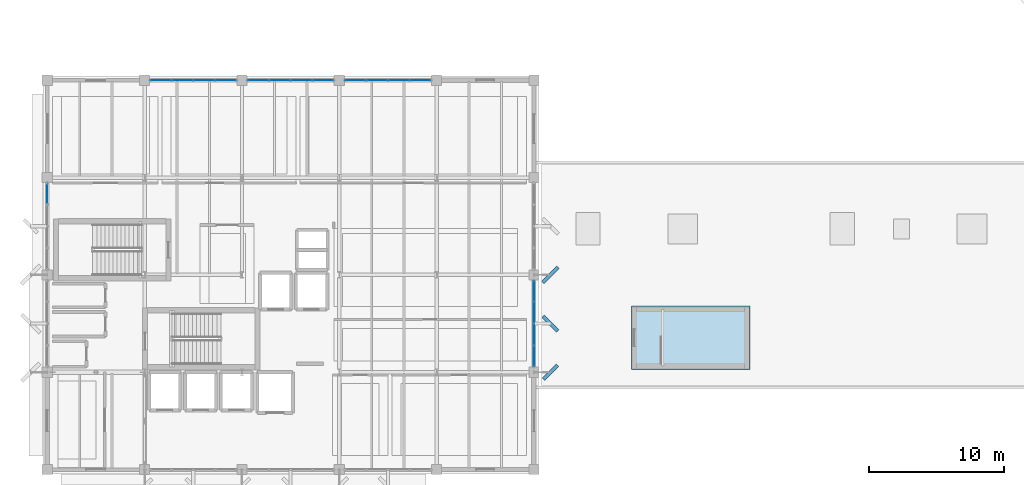
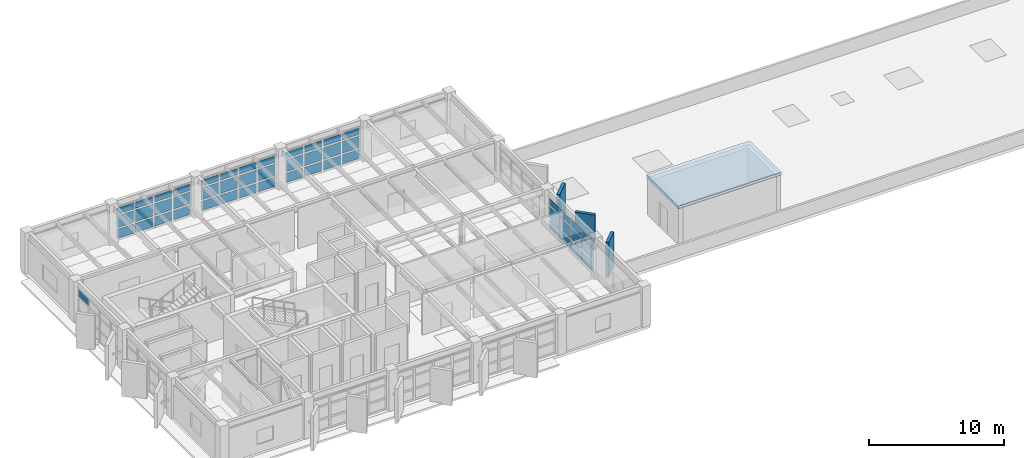
# One storey, part 19 of 32: 52 plates, 1 slab, 5 elements without a shape of their own.
"""IFC4 building model written with IfcOpenShell, lengths in metres."""

from ifc_helpers import new_model, si_unit, direction, frame, origin, origin_2d, place, context, subcontext, project, spatial, polyline, rectangle, outline, extrude, material, layer, layer_set, type_object, element, aggregate, save


model = new_model("IFC4")

# Units and contexts
model_context = context("Model", 3, precision=1e-05, world=origin(), true_north=direction((0.0, 1.0)))
body_context = subcontext(model_context, "Body", "Model", "MODEL_VIEW")
ifc_project = project(units=[si_unit("LENGTHUNIT", "METRE"), si_unit("AREAUNIT", "SQUARE_METRE"), si_unit("VOLUMEUNIT", "CUBIC_METRE"), si_unit("PLANEANGLEUNIT", "RADIAN"), si_unit("MASSUNIT", "GRAM", prefix="KILO")], contexts=[model_context])

# Site, building, storey
site_placement = place(None, origin())
site = spatial("IfcSite", under=ifc_project, at=site_placement, CompositionType="ELEMENT")
building_placement = place(site_placement, origin())
building = spatial("IfcBuilding", under=site, at=building_placement, Name="Kandorven Conservatory and Botanical Research Centre", CompositionType="ELEMENT")
storey_placement = place(building_placement, frame((0.0, 0.0, 17.10009765625)))
storey = spatial("IfcBuildingStorey", under=building, at=storey_placement, Name="L04", CompositionType="ELEMENT", Elevation=17.10009765625)

# Curtain wall, plates
ifc_material_1 = material(Name="Bronze anodised thermally broken aluminium", Category="aluminium")
ifc_layer_1 = layer(ifc_material_1, 0.179931640625)
ifc_layer_set_1 = layer_set([ifc_layer_1], Name="Bronze anodised thermally broken aluminium")
curtain_wall_type = type_object("IfcCurtainWallType", Name="CW_Unitised", PredefinedType="USERDEFINED", material=ifc_layer_set_1)
curtain_wall_1_placement = place(storey_placement, origin())
curtain_wall_1 = element("IfcCurtainWall", 1, at=curtain_wall_1_placement, inside=storey, type_object=curtain_wall_type, Name="Tower laboratory curtain wall CW-TWR-N-L04-2", ObjectType="UNITISED GLAZING", PredefinedType="USERDEFINED")
ifc_material_2 = material(Name="Double-glazed solar-control low-E glass", Category="glass")
ifc_layer_2 = layer(ifc_material_2, 0.028076171875)
ifc_layer_set_2 = layer_set([ifc_layer_2], Name="Double-glazed solar-control low-E glass")
plate_type_1 = type_object("IfcPlateType", Name="CW_Panel", PredefinedType="CURTAIN_PANEL", material=ifc_layer_set_2)
plate_1_placement = place(storey_placement, frame((14.4013671875, 34.800048828125, 0.14990234375), z_axis=(0.0, 0.0, 1.0), x_axis=(1.0, 0.0, 0.0)))
plate_1 = element("IfcPlate", 2, at=plate_1_placement, type_object=plate_type_1, Name="CW-01 panel 1.1", PredefinedType="CURTAIN_PANEL", context=body_context, shape_type="SweptSolid", body=[
    extrude(rectangle(XDim=1.492431640625, YDim=0.028076171875, at=origin_2d()), origin(), (0.0, 0.0, 1.0), 0.824951171875),
])
plate_2_placement = place(storey_placement, frame((14.4013671875, 34.800048828125, 1.125), z_axis=(0.0, 0.0, 1.0), x_axis=(1.0, 0.0, 0.0)))
plate_2 = element("IfcPlate", 3, at=plate_2_placement, type_object=plate_type_1, Name="CW-01 panel 1.2", PredefinedType="CURTAIN_PANEL", context=body_context, shape_type="SweptSolid", body=[
    extrude(rectangle(XDim=1.492431640625, YDim=0.028076171875, at=origin_2d()), origin(), (0.0, 0.0, 1.0), 1.050048828125),
])
plate_3_placement = place(storey_placement, frame((14.4013671875, 34.800048828125, 2.324951171875), z_axis=(0.0, 0.0, 1.0), x_axis=(1.0, 0.0, 0.0)))
plate_3 = element("IfcPlate", 4, at=plate_3_placement, type_object=plate_type_1, Name="CW-01 panel 1.3", PredefinedType="CURTAIN_PANEL", context=body_context, shape_type="SweptSolid", body=[
    extrude(rectangle(XDim=1.492431640625, YDim=0.028076171875, at=origin_2d()), origin(), (0.0, 0.0, 1.0), 0.56494140625),
])
plate_4_placement = place(storey_placement, frame((15.99365234375, 34.800048828125, 0.14990234375), z_axis=(0.0, 0.0, 1.0), x_axis=(1.0, 0.0, 0.0)))
plate_4 = element("IfcPlate", 5, at=plate_4_placement, type_object=plate_type_1, Name="CW-01 panel 2.1", PredefinedType="CURTAIN_PANEL", context=body_context, shape_type="SweptSolid", body=[
    extrude(rectangle(XDim=1.532470703125, YDim=0.028076171875, at=origin_2d()), origin(), (0.0, 0.0, 1.0), 0.824951171875),
])
plate_5_placement = place(storey_placement, frame((15.99365234375, 34.800048828125, 1.125), z_axis=(0.0, 0.0, 1.0), x_axis=(1.0, 0.0, 0.0)))
plate_5 = element("IfcPlate", 6, at=plate_5_placement, type_object=plate_type_1, Name="CW-01 panel 2.2", PredefinedType="CURTAIN_PANEL", context=body_context, shape_type="SweptSolid", body=[
    extrude(rectangle(XDim=1.532470703125, YDim=0.028076171875, at=origin_2d()), origin(), (0.0, 0.0, 1.0), 1.050048828125),
])
plate_6_placement = place(storey_placement, frame((15.99365234375, 34.800048828125, 2.324951171875), z_axis=(0.0, 0.0, 1.0), x_axis=(1.0, 0.0, 0.0)))
plate_6 = element("IfcPlate", 7, at=plate_6_placement, type_object=plate_type_1, Name="CW-01 panel 2.3", PredefinedType="CURTAIN_PANEL", context=body_context, shape_type="SweptSolid", body=[
    extrude(rectangle(XDim=1.532470703125, YDim=0.028076171875, at=origin_2d()), origin(), (0.0, 0.0, 1.0), 0.56494140625),
])
plate_7_placement = place(storey_placement, frame((17.606201171875, 34.800048828125, 0.14990234375), z_axis=(0.0, 0.0, 1.0), x_axis=(1.0, 0.0, 0.0)))
plate_7 = element("IfcPlate", 8, at=plate_7_placement, type_object=plate_type_1, Name="CW-01 panel 3.1", PredefinedType="CURTAIN_PANEL", context=body_context, shape_type="SweptSolid", body=[
    extrude(rectangle(XDim=1.532470703125, YDim=0.028076171875, at=origin_2d()), origin(), (0.0, 0.0, 1.0), 0.824951171875),
])
plate_8_placement = place(storey_placement, frame((17.606201171875, 34.800048828125, 1.125), z_axis=(0.0, 0.0, 1.0), x_axis=(1.0, 0.0, 0.0)))
plate_8 = element("IfcPlate", 9, at=plate_8_placement, type_object=plate_type_1, Name="CW-01 panel 3.2", PredefinedType="CURTAIN_PANEL", context=body_context, shape_type="SweptSolid", body=[
    extrude(rectangle(XDim=1.532470703125, YDim=0.028076171875, at=origin_2d()), origin(), (0.0, 0.0, 1.0), 1.050048828125),
])
plate_9_placement = place(storey_placement, frame((17.606201171875, 34.800048828125, 2.324951171875), z_axis=(0.0, 0.0, 1.0), x_axis=(1.0, 0.0, 0.0)))
plate_9 = element("IfcPlate", 10, at=plate_9_placement, type_object=plate_type_1, Name="CW-01 panel 3.3", PredefinedType="CURTAIN_PANEL", context=body_context, shape_type="SweptSolid", body=[
    extrude(rectangle(XDim=1.532470703125, YDim=0.028076171875, at=origin_2d()), origin(), (0.0, 0.0, 1.0), 0.56494140625),
])
plate_10_placement = place(storey_placement, frame((19.19873046875, 34.800048828125, 0.14990234375), z_axis=(0.0, 0.0, 1.0), x_axis=(1.0, 0.0, 0.0)))
plate_10 = element("IfcPlate", 11, at=plate_10_placement, type_object=plate_type_1, Name="CW-01 panel 4.1", PredefinedType="CURTAIN_PANEL", context=body_context, shape_type="SweptSolid", body=[
    extrude(rectangle(XDim=1.492431640625, YDim=0.028076171875, at=origin_2d()), origin(), (0.0, 0.0, 1.0), 0.824951171875),
])
plate_11_placement = place(storey_placement, frame((19.19873046875, 34.800048828125, 1.125), z_axis=(0.0, 0.0, 1.0), x_axis=(1.0, 0.0, 0.0)))
plate_11 = element("IfcPlate", 12, at=plate_11_placement, type_object=plate_type_1, Name="CW-01 panel 4.2", PredefinedType="CURTAIN_PANEL", context=body_context, shape_type="SweptSolid", body=[
    extrude(rectangle(XDim=1.492431640625, YDim=0.028076171875, at=origin_2d()), origin(), (0.0, 0.0, 1.0), 1.050048828125),
])
plate_12_placement = place(storey_placement, frame((19.19873046875, 34.800048828125, 2.324951171875), z_axis=(0.0, 0.0, 1.0), x_axis=(1.0, 0.0, 0.0)))
plate_12 = element("IfcPlate", 13, at=plate_12_placement, type_object=plate_type_1, Name="CW-01 panel 4.3", PredefinedType="CURTAIN_PANEL", context=body_context, shape_type="SweptSolid", body=[
    extrude(rectangle(XDim=1.492431640625, YDim=0.028076171875, at=origin_2d()), origin(), (0.0, 0.0, 1.0), 0.56494140625),
])
aggregate(curtain_wall_1, [plate_1, plate_2, plate_3, plate_4, plate_5, plate_6, plate_7, plate_8, plate_9, plate_10, plate_11, plate_12])

curtain_wall_2_placement = place(storey_placement, origin())
curtain_wall_2 = element("IfcCurtainWall", 14, at=curtain_wall_2_placement, inside=storey, type_object=curtain_wall_type, Name="Tower laboratory curtain wall CW-TWR-N-L04-3", ObjectType="UNITISED GLAZING", PredefinedType="USERDEFINED")
plate_13_placement = place(storey_placement, frame((21.601318359375, 34.800048828125, 0.14990234375), z_axis=(0.0, 0.0, 1.0), x_axis=(1.0, 0.0, 0.0)))
plate_13 = element("IfcPlate", 15, at=plate_13_placement, type_object=plate_type_1, Name="CW-01 panel 1.1", PredefinedType="CURTAIN_PANEL", context=body_context, shape_type="SweptSolid", body=[
    extrude(rectangle(XDim=1.492431640625, YDim=0.028076171875, at=origin_2d()), origin(), (0.0, 0.0, 1.0), 0.824951171875),
])
plate_14_placement = place(storey_placement, frame((21.601318359375, 34.800048828125, 1.125), z_axis=(0.0, 0.0, 1.0), x_axis=(1.0, 0.0, 0.0)))
plate_14 = element("IfcPlate", 16, at=plate_14_placement, type_object=plate_type_1, Name="CW-01 panel 1.2", PredefinedType="CURTAIN_PANEL", context=body_context, shape_type="SweptSolid", body=[
    extrude(rectangle(XDim=1.492431640625, YDim=0.028076171875, at=origin_2d()), origin(), (0.0, 0.0, 1.0), 1.050048828125),
])
plate_15_placement = place(storey_placement, frame((21.601318359375, 34.800048828125, 2.324951171875), z_axis=(0.0, 0.0, 1.0), x_axis=(1.0, 0.0, 0.0)))
plate_15 = element("IfcPlate", 17, at=plate_15_placement, type_object=plate_type_1, Name="CW-01 panel 1.3", PredefinedType="CURTAIN_PANEL", context=body_context, shape_type="SweptSolid", body=[
    extrude(rectangle(XDim=1.492431640625, YDim=0.028076171875, at=origin_2d()), origin(), (0.0, 0.0, 1.0), 0.56494140625),
])
plate_16_placement = place(storey_placement, frame((23.19384765625, 34.800048828125, 0.14990234375), z_axis=(0.0, 0.0, 1.0), x_axis=(1.0, 0.0, 0.0)))
plate_16 = element("IfcPlate", 18, at=plate_16_placement, type_object=plate_type_1, Name="CW-01 panel 2.1", PredefinedType="CURTAIN_PANEL", context=body_context, shape_type="SweptSolid", body=[
    extrude(rectangle(XDim=1.532470703125, YDim=0.028076171875, at=origin_2d()), origin(), (0.0, 0.0, 1.0), 0.824951171875),
])
plate_17_placement = place(storey_placement, frame((23.19384765625, 34.800048828125, 1.125), z_axis=(0.0, 0.0, 1.0), x_axis=(1.0, 0.0, 0.0)))
plate_17 = element("IfcPlate", 19, at=plate_17_placement, type_object=plate_type_1, Name="CW-01 panel 2.2", PredefinedType="CURTAIN_PANEL", context=body_context, shape_type="SweptSolid", body=[
    extrude(rectangle(XDim=1.532470703125, YDim=0.028076171875, at=origin_2d()), origin(), (0.0, 0.0, 1.0), 1.050048828125),
])
plate_18_placement = place(storey_placement, frame((23.19384765625, 34.800048828125, 2.324951171875), z_axis=(0.0, 0.0, 1.0), x_axis=(1.0, 0.0, 0.0)))
plate_18 = element("IfcPlate", 20, at=plate_18_placement, type_object=plate_type_1, Name="CW-01 panel 2.3", PredefinedType="CURTAIN_PANEL", context=body_context, shape_type="SweptSolid", body=[
    extrude(rectangle(XDim=1.532470703125, YDim=0.028076171875, at=origin_2d()), origin(), (0.0, 0.0, 1.0), 0.56494140625),
])
plate_19_placement = place(storey_placement, frame((24.80615234375, 34.800048828125, 0.14990234375), z_axis=(0.0, 0.0, 1.0), x_axis=(1.0, 0.0, 0.0)))
plate_19 = element("IfcPlate", 21, at=plate_19_placement, type_object=plate_type_1, Name="CW-01 panel 3.1", PredefinedType="CURTAIN_PANEL", context=body_context, shape_type="SweptSolid", body=[
    extrude(rectangle(XDim=1.532470703125, YDim=0.028076171875, at=origin_2d()), origin(), (0.0, 0.0, 1.0), 0.824951171875),
])
plate_20_placement = place(storey_placement, frame((24.80615234375, 34.800048828125, 1.125), z_axis=(0.0, 0.0, 1.0), x_axis=(1.0, 0.0, 0.0)))
plate_20 = element("IfcPlate", 22, at=plate_20_placement, type_object=plate_type_1, Name="CW-01 panel 3.2", PredefinedType="CURTAIN_PANEL", context=body_context, shape_type="SweptSolid", body=[
    extrude(rectangle(XDim=1.532470703125, YDim=0.028076171875, at=origin_2d()), origin(), (0.0, 0.0, 1.0), 1.050048828125),
])
plate_21_placement = place(storey_placement, frame((24.80615234375, 34.800048828125, 2.324951171875), z_axis=(0.0, 0.0, 1.0), x_axis=(1.0, 0.0, 0.0)))
plate_21 = element("IfcPlate", 23, at=plate_21_placement, type_object=plate_type_1, Name="CW-01 panel 3.3", PredefinedType="CURTAIN_PANEL", context=body_context, shape_type="SweptSolid", body=[
    extrude(rectangle(XDim=1.532470703125, YDim=0.028076171875, at=origin_2d()), origin(), (0.0, 0.0, 1.0), 0.56494140625),
])
plate_22_placement = place(storey_placement, frame((26.398681640625, 34.800048828125, 0.14990234375), z_axis=(0.0, 0.0, 1.0), x_axis=(1.0, 0.0, 0.0)))
plate_22 = element("IfcPlate", 24, at=plate_22_placement, type_object=plate_type_1, Name="CW-01 panel 4.1", PredefinedType="CURTAIN_PANEL", context=body_context, shape_type="SweptSolid", body=[
    extrude(rectangle(XDim=1.492431640625, YDim=0.028076171875, at=origin_2d()), origin(), (0.0, 0.0, 1.0), 0.824951171875),
])
plate_23_placement = place(storey_placement, frame((26.398681640625, 34.800048828125, 1.125), z_axis=(0.0, 0.0, 1.0), x_axis=(1.0, 0.0, 0.0)))
plate_23 = element("IfcPlate", 25, at=plate_23_placement, type_object=plate_type_1, Name="CW-01 panel 4.2", PredefinedType="CURTAIN_PANEL", context=body_context, shape_type="SweptSolid", body=[
    extrude(rectangle(XDim=1.492431640625, YDim=0.028076171875, at=origin_2d()), origin(), (0.0, 0.0, 1.0), 1.050048828125),
])
plate_24_placement = place(storey_placement, frame((26.398681640625, 34.800048828125, 2.324951171875), z_axis=(0.0, 0.0, 1.0), x_axis=(1.0, 0.0, 0.0)))
plate_24 = element("IfcPlate", 26, at=plate_24_placement, type_object=plate_type_1, Name="CW-01 panel 4.3", PredefinedType="CURTAIN_PANEL", context=body_context, shape_type="SweptSolid", body=[
    extrude(rectangle(XDim=1.492431640625, YDim=0.028076171875, at=origin_2d()), origin(), (0.0, 0.0, 1.0), 0.56494140625),
])
aggregate(curtain_wall_2, [plate_13, plate_14, plate_15, plate_16, plate_17, plate_18, plate_19, plate_20, plate_21, plate_22, plate_23, plate_24])

curtain_wall_3_placement = place(storey_placement, origin())
curtain_wall_3 = element("IfcCurtainWall", 27, at=curtain_wall_3_placement, inside=storey, type_object=curtain_wall_type, Name="Tower laboratory curtain wall CW-TWR-N-L04-4", ObjectType="UNITISED GLAZING", PredefinedType="USERDEFINED")
plate_25_placement = place(storey_placement, frame((28.80126953125, 34.800048828125, 0.14990234375), z_axis=(0.0, 0.0, 1.0), x_axis=(1.0, 0.0, 0.0)))
plate_25 = element("IfcPlate", 28, at=plate_25_placement, type_object=plate_type_1, Name="CW-01 panel 1.1", PredefinedType="CURTAIN_PANEL", context=body_context, shape_type="SweptSolid", body=[
    extrude(rectangle(XDim=1.492431640625, YDim=0.028076171875, at=origin_2d()), origin(), (0.0, 0.0, 1.0), 0.824951171875),
])
plate_26_placement = place(storey_placement, frame((28.80126953125, 34.800048828125, 1.125), z_axis=(0.0, 0.0, 1.0), x_axis=(1.0, 0.0, 0.0)))
plate_26 = element("IfcPlate", 29, at=plate_26_placement, type_object=plate_type_1, Name="CW-01 panel 1.2", PredefinedType="CURTAIN_PANEL", context=body_context, shape_type="SweptSolid", body=[
    extrude(rectangle(XDim=1.492431640625, YDim=0.028076171875, at=origin_2d()), origin(), (0.0, 0.0, 1.0), 1.050048828125),
])
plate_27_placement = place(storey_placement, frame((28.80126953125, 34.800048828125, 2.324951171875), z_axis=(0.0, 0.0, 1.0), x_axis=(1.0, 0.0, 0.0)))
plate_27 = element("IfcPlate", 30, at=plate_27_placement, type_object=plate_type_1, Name="CW-01 panel 1.3", PredefinedType="CURTAIN_PANEL", context=body_context, shape_type="SweptSolid", body=[
    extrude(rectangle(XDim=1.492431640625, YDim=0.028076171875, at=origin_2d()), origin(), (0.0, 0.0, 1.0), 0.56494140625),
])
plate_28_placement = place(storey_placement, frame((30.393798828125, 34.800048828125, 0.14990234375), z_axis=(0.0, 0.0, 1.0), x_axis=(1.0, 0.0, 0.0)))
plate_28 = element("IfcPlate", 31, at=plate_28_placement, type_object=plate_type_1, Name="CW-01 panel 2.1", PredefinedType="CURTAIN_PANEL", context=body_context, shape_type="SweptSolid", body=[
    extrude(rectangle(XDim=1.532470703125, YDim=0.028076171875, at=origin_2d()), origin(), (0.0, 0.0, 1.0), 0.824951171875),
])
plate_29_placement = place(storey_placement, frame((30.393798828125, 34.800048828125, 1.125), z_axis=(0.0, 0.0, 1.0), x_axis=(1.0, 0.0, 0.0)))
plate_29 = element("IfcPlate", 32, at=plate_29_placement, type_object=plate_type_1, Name="CW-01 panel 2.2", PredefinedType="CURTAIN_PANEL", context=body_context, shape_type="SweptSolid", body=[
    extrude(rectangle(XDim=1.532470703125, YDim=0.028076171875, at=origin_2d()), origin(), (0.0, 0.0, 1.0), 1.050048828125),
])
plate_30_placement = place(storey_placement, frame((30.393798828125, 34.800048828125, 2.324951171875), z_axis=(0.0, 0.0, 1.0), x_axis=(1.0, 0.0, 0.0)))
plate_30 = element("IfcPlate", 33, at=plate_30_placement, type_object=plate_type_1, Name="CW-01 panel 2.3", PredefinedType="CURTAIN_PANEL", context=body_context, shape_type="SweptSolid", body=[
    extrude(rectangle(XDim=1.532470703125, YDim=0.028076171875, at=origin_2d()), origin(), (0.0, 0.0, 1.0), 0.56494140625),
])
plate_31_placement = place(storey_placement, frame((32.00634765625, 34.800048828125, 0.14990234375), z_axis=(0.0, 0.0, 1.0), x_axis=(1.0, 0.0, 0.0)))
plate_31 = element("IfcPlate", 34, at=plate_31_placement, type_object=plate_type_1, Name="CW-01 panel 3.1", PredefinedType="CURTAIN_PANEL", context=body_context, shape_type="SweptSolid", body=[
    extrude(rectangle(XDim=1.532470703125, YDim=0.028076171875, at=origin_2d()), origin(), (0.0, 0.0, 1.0), 0.824951171875),
])
plate_32_placement = place(storey_placement, frame((32.00634765625, 34.800048828125, 1.125), z_axis=(0.0, 0.0, 1.0), x_axis=(1.0, 0.0, 0.0)))
plate_32 = element("IfcPlate", 35, at=plate_32_placement, type_object=plate_type_1, Name="CW-01 panel 3.2", PredefinedType="CURTAIN_PANEL", context=body_context, shape_type="SweptSolid", body=[
    extrude(rectangle(XDim=1.532470703125, YDim=0.028076171875, at=origin_2d()), origin(), (0.0, 0.0, 1.0), 1.050048828125),
])
plate_33_placement = place(storey_placement, frame((32.00634765625, 34.800048828125, 2.324951171875), z_axis=(0.0, 0.0, 1.0), x_axis=(1.0, 0.0, 0.0)))
plate_33 = element("IfcPlate", 36, at=plate_33_placement, type_object=plate_type_1, Name="CW-01 panel 3.3", PredefinedType="CURTAIN_PANEL", context=body_context, shape_type="SweptSolid", body=[
    extrude(rectangle(XDim=1.532470703125, YDim=0.028076171875, at=origin_2d()), origin(), (0.0, 0.0, 1.0), 0.56494140625),
])
plate_34_placement = place(storey_placement, frame((33.5986328125, 34.800048828125, 0.14990234375), z_axis=(0.0, 0.0, 1.0), x_axis=(1.0, 0.0, 0.0)))
plate_34 = element("IfcPlate", 37, at=plate_34_placement, type_object=plate_type_1, Name="CW-01 panel 4.1", PredefinedType="CURTAIN_PANEL", context=body_context, shape_type="SweptSolid", body=[
    extrude(rectangle(XDim=1.492431640625, YDim=0.028076171875, at=origin_2d()), origin(), (0.0, 0.0, 1.0), 0.824951171875),
])
plate_35_placement = place(storey_placement, frame((33.5986328125, 34.800048828125, 1.125), z_axis=(0.0, 0.0, 1.0), x_axis=(1.0, 0.0, 0.0)))
plate_35 = element("IfcPlate", 38, at=plate_35_placement, type_object=plate_type_1, Name="CW-01 panel 4.2", PredefinedType="CURTAIN_PANEL", context=body_context, shape_type="SweptSolid", body=[
    extrude(rectangle(XDim=1.492431640625, YDim=0.028076171875, at=origin_2d()), origin(), (0.0, 0.0, 1.0), 1.050048828125),
])
plate_36_placement = place(storey_placement, frame((33.5986328125, 34.800048828125, 2.324951171875), z_axis=(0.0, 0.0, 1.0), x_axis=(1.0, 0.0, 0.0)))
plate_36 = element("IfcPlate", 39, at=plate_36_placement, type_object=plate_type_1, Name="CW-01 panel 4.3", PredefinedType="CURTAIN_PANEL", context=body_context, shape_type="SweptSolid", body=[
    extrude(rectangle(XDim=1.492431640625, YDim=0.028076171875, at=origin_2d()), origin(), (0.0, 0.0, 1.0), 0.56494140625),
])
aggregate(curtain_wall_3, [plate_25, plate_26, plate_27, plate_28, plate_29, plate_30, plate_31, plate_32, plate_33, plate_34, plate_35, plate_36])

# Curtain wall, plate
curtain_wall_4_placement = place(storey_placement, origin())
curtain_wall_4 = element("IfcCurtainWall", 40, at=curtain_wall_4_placement, inside=storey, type_object=curtain_wall_type, Name="Tower laboratory curtain wall CW-TWR-W-L04-3", ObjectType="UNITISED GLAZING", PredefinedType="USERDEFINED")
plate_37_placement = place(storey_placement, frame((6.0, 26.398681640625, 2.324951171875), z_axis=(0.0, 0.0, 1.0), x_axis=(0.0, 1.0, 0.0)))
plate_37 = element("IfcPlate", 41, at=plate_37_placement, type_object=plate_type_1, Name="CW-01 panel 4.3", PredefinedType="CURTAIN_PANEL", context=body_context, shape_type="SweptSolid", body=[
    extrude(rectangle(XDim=1.492431640625, YDim=0.028076171875, at=origin_2d()), origin(), (0.0, 0.0, 1.0), 0.56494140625),
])
aggregate(curtain_wall_4, [plate_37])

# Curtain wall, plates
curtain_wall_5_placement = place(storey_placement, origin())
curtain_wall_5 = element("IfcCurtainWall", 42, at=curtain_wall_5_placement, inside=storey, type_object=curtain_wall_type, Name="Tower laboratory curtain wall CW-TWR-E-L04-2", ObjectType="UNITISED GLAZING", PredefinedType="USERDEFINED")
plate_38_placement = place(storey_placement, frame((42.0, 14.4013671875, 0.14990234375), z_axis=(0.0, 0.0, 1.0), x_axis=(0.0, 1.0, 0.0)))
plate_38 = element("IfcPlate", 43, at=plate_38_placement, type_object=plate_type_1, Name="CW-01 panel 1.1", PredefinedType="CURTAIN_PANEL", context=body_context, shape_type="SweptSolid", body=[
    extrude(rectangle(XDim=1.492431640625, YDim=0.028076171875, at=origin_2d()), origin(), (0.0, 0.0, 1.0), 0.824951171875),
])
plate_39_placement = place(storey_placement, frame((42.0, 14.4013671875, 1.125), z_axis=(0.0, 0.0, 1.0), x_axis=(0.0, 1.0, 0.0)))
plate_39 = element("IfcPlate", 44, at=plate_39_placement, type_object=plate_type_1, Name="CW-01 panel 1.2", PredefinedType="CURTAIN_PANEL", context=body_context, shape_type="SweptSolid", body=[
    extrude(rectangle(XDim=1.492431640625, YDim=0.028076171875, at=origin_2d()), origin(), (0.0, 0.0, 1.0), 1.050048828125),
])
plate_40_placement = place(storey_placement, frame((42.0, 14.4013671875, 2.324951171875), z_axis=(0.0, 0.0, 1.0), x_axis=(0.0, 1.0, 0.0)))
plate_40 = element("IfcPlate", 45, at=plate_40_placement, type_object=plate_type_1, Name="CW-01 panel 1.3", PredefinedType="CURTAIN_PANEL", context=body_context, shape_type="SweptSolid", body=[
    extrude(rectangle(XDim=1.492431640625, YDim=0.028076171875, at=origin_2d()), origin(), (0.0, 0.0, 1.0), 0.56494140625),
])
plate_41_placement = place(storey_placement, frame((42.0, 15.99365234375, 0.14990234375), z_axis=(0.0, 0.0, 1.0), x_axis=(0.0, 1.0, 0.0)))
plate_41 = element("IfcPlate", 46, at=plate_41_placement, type_object=plate_type_1, Name="CW-01 panel 2.1", PredefinedType="CURTAIN_PANEL", context=body_context, shape_type="SweptSolid", body=[
    extrude(rectangle(XDim=1.532470703125, YDim=0.028076171875, at=origin_2d()), origin(), (0.0, 0.0, 1.0), 0.824951171875),
])
plate_42_placement = place(storey_placement, frame((42.0, 15.99365234375, 1.125), z_axis=(0.0, 0.0, 1.0), x_axis=(0.0, 1.0, 0.0)))
plate_42 = element("IfcPlate", 47, at=plate_42_placement, type_object=plate_type_1, Name="CW-01 panel 2.2", PredefinedType="CURTAIN_PANEL", context=body_context, shape_type="SweptSolid", body=[
    extrude(rectangle(XDim=1.532470703125, YDim=0.028076171875, at=origin_2d()), origin(), (0.0, 0.0, 1.0), 1.050048828125),
])
plate_43_placement = place(storey_placement, frame((42.0, 15.99365234375, 2.324951171875), z_axis=(0.0, 0.0, 1.0), x_axis=(0.0, 1.0, 0.0)))
plate_43 = element("IfcPlate", 48, at=plate_43_placement, type_object=plate_type_1, Name="CW-01 panel 2.3", PredefinedType="CURTAIN_PANEL", context=body_context, shape_type="SweptSolid", body=[
    extrude(rectangle(XDim=1.532470703125, YDim=0.028076171875, at=origin_2d()), origin(), (0.0, 0.0, 1.0), 0.56494140625),
])
plate_44_placement = place(storey_placement, frame((42.0, 17.606201171875, 0.14990234375), z_axis=(0.0, 0.0, 1.0), x_axis=(0.0, 1.0, 0.0)))
plate_44 = element("IfcPlate", 49, at=plate_44_placement, type_object=plate_type_1, Name="CW-01 panel 3.1", PredefinedType="CURTAIN_PANEL", context=body_context, shape_type="SweptSolid", body=[
    extrude(rectangle(XDim=1.532470703125, YDim=0.028076171875, at=origin_2d()), origin(), (0.0, 0.0, 1.0), 0.824951171875),
])
plate_45_placement = place(storey_placement, frame((42.0, 17.606201171875, 1.125), z_axis=(0.0, 0.0, 1.0), x_axis=(0.0, 1.0, 0.0)))
plate_45 = element("IfcPlate", 50, at=plate_45_placement, type_object=plate_type_1, Name="CW-01 panel 3.2", PredefinedType="CURTAIN_PANEL", context=body_context, shape_type="SweptSolid", body=[
    extrude(rectangle(XDim=1.532470703125, YDim=0.028076171875, at=origin_2d()), origin(), (0.0, 0.0, 1.0), 1.050048828125),
])
plate_46_placement = place(storey_placement, frame((42.0, 17.606201171875, 2.324951171875), z_axis=(0.0, 0.0, 1.0), x_axis=(0.0, 1.0, 0.0)))
plate_46 = element("IfcPlate", 51, at=plate_46_placement, type_object=plate_type_1, Name="CW-01 panel 3.3", PredefinedType="CURTAIN_PANEL", context=body_context, shape_type="SweptSolid", body=[
    extrude(rectangle(XDim=1.532470703125, YDim=0.028076171875, at=origin_2d()), origin(), (0.0, 0.0, 1.0), 0.56494140625),
])
plate_47_placement = place(storey_placement, frame((42.0, 19.19873046875, 0.14990234375), z_axis=(0.0, 0.0, 1.0), x_axis=(0.0, 1.0, 0.0)))
plate_47 = element("IfcPlate", 52, at=plate_47_placement, type_object=plate_type_1, Name="CW-01 panel 4.1", PredefinedType="CURTAIN_PANEL", context=body_context, shape_type="SweptSolid", body=[
    extrude(rectangle(XDim=1.492431640625, YDim=0.028076171875, at=origin_2d()), origin(), (0.0, 0.0, 1.0), 0.824951171875),
])
plate_48_placement = place(storey_placement, frame((42.0, 19.19873046875, 1.125), z_axis=(0.0, 0.0, 1.0), x_axis=(0.0, 1.0, 0.0)))
plate_48 = element("IfcPlate", 53, at=plate_48_placement, type_object=plate_type_1, Name="CW-01 panel 4.2", PredefinedType="CURTAIN_PANEL", context=body_context, shape_type="SweptSolid", body=[
    extrude(rectangle(XDim=1.492431640625, YDim=0.028076171875, at=origin_2d()), origin(), (0.0, 0.0, 1.0), 1.050048828125),
])
plate_49_placement = place(storey_placement, frame((42.0, 19.19873046875, 2.324951171875), z_axis=(0.0, 0.0, 1.0), x_axis=(0.0, 1.0, 0.0)))
plate_49 = element("IfcPlate", 54, at=plate_49_placement, type_object=plate_type_1, Name="CW-01 panel 4.3", PredefinedType="CURTAIN_PANEL", context=body_context, shape_type="SweptSolid", body=[
    extrude(rectangle(XDim=1.492431640625, YDim=0.028076171875, at=origin_2d()), origin(), (0.0, 0.0, 1.0), 0.56494140625),
])
aggregate(curtain_wall_5, [plate_38, plate_39, plate_40, plate_41, plate_42, plate_43, plate_44, plate_45, plate_46, plate_47, plate_48, plate_49])

# Plates
ifc_material_3 = material(Name="Precast concrete C40/50 (M50)", Category="concrete")
ifc_layer_3 = layer(ifc_material_3, 0.2451171875)
ifc_layer_set_3 = layer_set([ifc_layer_3], Name="Precast concrete C40/50 (M50)")
plate_type_2 = type_object("IfcPlateType", Name="Fin_BF-02", PredefinedType="USERDEFINED", material=ifc_layer_set_3)
plate_50_placement = place(storey_placement, frame((43.219970703125, 13.199951171875, -0.1201171875), z_axis=(0.0, 0.0, 1.0), x_axis=(0.707106781187, 0.707106781187, 0.0)))
element("IfcPlate", 55, at=plate_50_placement, inside=storey, type_object=plate_type_2, Name="Sculpted board-marked concrete brise-soleil fin BF-02", ObjectType="SOLAR FIN", PredefinedType="USERDEFINED", context=body_context, shape_type="SweptSolid", body=[
    extrude(rectangle(XDim=1.4599609375, YDim=0.2451171875, at=origin_2d()), origin(), (0.0, 0.0, 1.0), 3.159912109375),
])
ifc_material_4 = material(Name="Precast concrete C40/50 (M50)", Category="concrete")
ifc_layer_4 = layer(ifc_material_4, 0.25)
ifc_layer_set_4 = layer_set([ifc_layer_4], Name="Precast concrete C40/50 (M50)")
plate_type_3 = type_object("IfcPlateType", Name="Fin_BF-03", PredefinedType="USERDEFINED", material=ifc_layer_set_4)
plate_51_placement = place(storey_placement, frame((43.219970703125, 16.800048828125, -0.1201171875), z_axis=(0.0, 0.0, 1.0), x_axis=(-0.707106781187, 0.707106781187, 0.0)))
element("IfcPlate", 56, at=plate_51_placement, inside=storey, type_object=plate_type_3, Name="Sculpted board-marked concrete brise-soleil fin BF-03", ObjectType="SOLAR FIN", PredefinedType="USERDEFINED", context=body_context, shape_type="SweptSolid", body=[
    extrude(rectangle(XDim=1.52001953125, YDim=0.25, at=origin_2d()), origin(), (0.0, 0.0, 1.0), 3.159912109375),
])
ifc_material_5 = material(Name="Precast concrete C40/50 (M50)", Category="concrete")
ifc_layer_5 = layer(ifc_material_5, 0.2548828125)
ifc_layer_set_5 = layer_set([ifc_layer_5], Name="Precast concrete C40/50 (M50)")
plate_type_4 = type_object("IfcPlateType", Name="Fin_BF-04", PredefinedType="USERDEFINED", material=ifc_layer_set_5)
plate_52_placement = place(storey_placement, frame((43.219970703125, 20.39990234375, -0.1201171875), z_axis=(0.0, 0.0, 1.0), x_axis=(0.707106781187, 0.707106781187, 0.0)))
element("IfcPlate", 57, at=plate_52_placement, inside=storey, type_object=plate_type_4, Name="Sculpted board-marked concrete brise-soleil fin BF-04", ObjectType="SOLAR FIN", PredefinedType="USERDEFINED", context=body_context, shape_type="SweptSolid", body=[
    extrude(rectangle(XDim=1.580078125, YDim=0.2548828125, at=origin_2d()), origin(), (0.0, 0.0, 1.0), 3.159912109375),
])

# Slab
ifc_material_6 = material(Name="Concrete C32/40 (M40)", Category="concrete")
ifc_layer_6 = layer(ifc_material_6, 0.260009765625)
ifc_layer_set_6 = layer_set([ifc_layer_6], Name="Concrete C32/40 (M40)")
slab_type = type_object("IfcSlabType", Name="Slab_RS-02", PredefinedType="ROOF", material=ifc_layer_set_6)
slab_placement = place(storey_placement, frame((0.0, 0.0, 3.33984375)))
element("IfcSlab", 58, at=slab_placement, inside=storey, type_object=slab_type, Name="Visitor wing stair ST-V3A rooftop bulkhead slab", PredefinedType="ROOF", context=body_context, shape_type="SweptSolid", body=[
    extrude(outline(polyline([(49.199951171875, 13.39990234375), (57.97998046875, 13.39990234375), (57.97998046875, 18.090087890625), (49.199951171875, 18.090087890625), (49.199951171875, 13.39990234375)])), origin(), (0.0, 0.0, 1.0), 0.260009765625),
])

save(model, "model.ifc")
